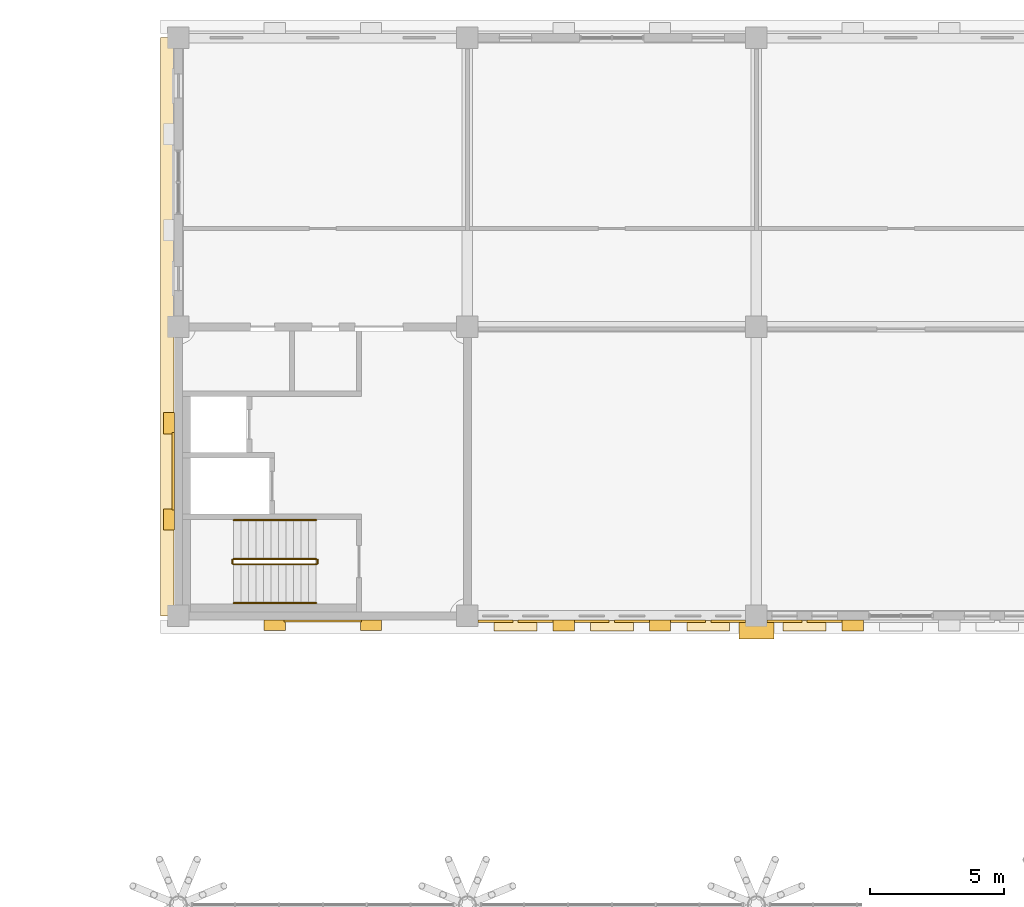
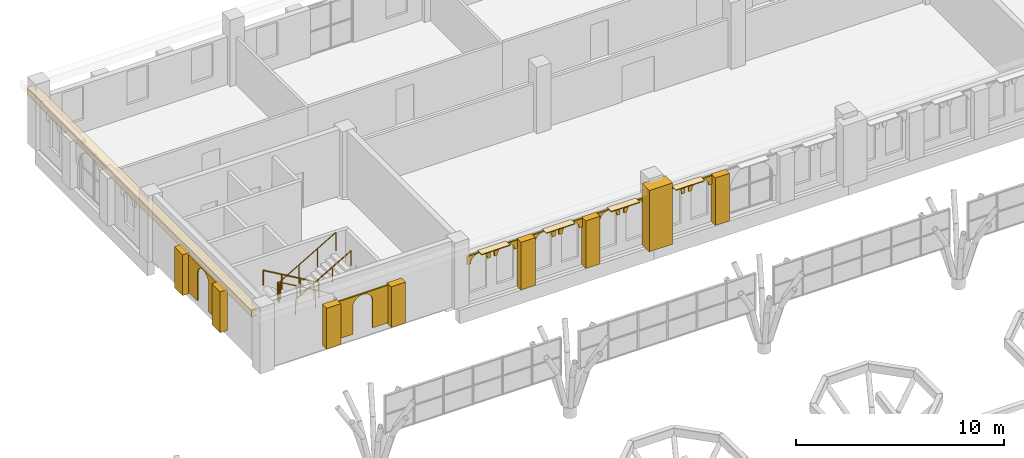
# One storey, part 39 of 42: 23 coverings, 6 railings.
"""IFC4 building model written with IfcOpenShell, lengths in metres."""

from ifc_helpers import new_model, si_unit, direction, frame, origin, origin_2d, place, context, subcontext, project, spatial, polyline, rectangle, circle, outline, extrude, material, layer, layer_set, type_object, element, save


model = new_model("IFC4")

# Units and contexts
model_context = context("Model", 3, precision=1e-05, world=origin(), true_north=direction((0.0, 1.0)))
body_context = subcontext(model_context, "Body", "Model", "MODEL_VIEW")
ifc_project = project(units=[si_unit("LENGTHUNIT", "METRE"), si_unit("AREAUNIT", "SQUARE_METRE"), si_unit("VOLUMEUNIT", "CUBIC_METRE"), si_unit("PLANEANGLEUNIT", "RADIAN"), si_unit("MASSUNIT", "GRAM", prefix="KILO")], contexts=[model_context])

# Site, building, storey
site_placement = place(None, origin())
site = spatial("IfcSite", under=ifc_project, at=site_placement, CompositionType="ELEMENT")
building_placement = place(site_placement, origin())
building = spatial("IfcBuilding", under=site, at=building_placement, Name="Magnolia Steps Interchange", CompositionType="ELEMENT")
storey_placement = place(building_placement, frame((0.0, 0.0, 12.60009765625)))
storey = spatial("IfcBuildingStorey", under=building, at=storey_placement, Name="L03", CompositionType="ELEMENT", Elevation=12.60009765625)

# Coverings
ifc_material_1 = material(Name="Lime render")
ifc_layer_1 = layer(ifc_material_1, 0.080078125)
ifc_layer_set_1 = layer_set([ifc_layer_1], Name="Lime render arch infill")
covering_type_1 = type_object("IfcCoveringType", Name="Lime render arch infill", PredefinedType="CLADDING", material=ifc_layer_set_1)
for number, where, z_axis, x_axis, name in (
    (1, (75.199951171875, 96.237548828125, 2.2548828125), (0.0, 1.0, 0.0), (0.0, 0.0, 1.0), "Arched head over opening W00105"),
    (2, (76.699951171875, 96.237548828125, 2.2548828125), (0.0, 1.0, 0.0), (0.0, 0.0, 1.0), "Arched head over opening W00255"),
):
    element("IfcCovering", number, at=place(storey_placement, frame(where, z_axis=z_axis, x_axis=x_axis)), inside=storey, type_object=covering_type_1, Name=name, PredefinedType="CLADDING", context=body_context, shape_type="SweptSolid", body=[
        extrude(outline(polyline([(0.0, 0.0), (0.495117188, 0.0), (0.495117188, 1.300048828), (0.0, 1.300048828), (0.0, 1.125), (0.105712891, 1.113037109), (0.206054688, 1.078125), (0.296142578, 1.021484375), (0.371337891, 0.946289062), (0.427978516, 0.856201172), (0.463134766, 0.755859375), (0.475097656, 0.650146484), (0.463134766, 0.544433594), (0.427978516, 0.443847656), (0.371337891, 0.353759766), (0.296142578, 0.278564453), (0.206054688, 0.222167969), (0.105712891, 0.187011719), (0.0, 0.175048828), (0.0, 0.0)])), origin(), (0.0, 0.0, -1.0), 0.080078125),
    ])
for number, where, z_axis, x_axis, name in (
    (3, (78.800048828125, 96.237548828125, 2.2548828125), (0.0, 1.0, 0.0), (0.0, 0.0, 1.0), "Arched head over opening W00465"),
    (4, (80.300048828125, 96.237548828125, 2.2548828125), (0.0, 1.0, 0.0), (0.0, 0.0, 1.0), "Arched head over opening W00615"),
):
    element("IfcCovering", number, at=place(storey_placement, frame(where, z_axis=z_axis, x_axis=x_axis)), inside=storey, type_object=covering_type_1, Name=name, PredefinedType="CLADDING", context=body_context, shape_type="SweptSolid", body=[
        extrude(outline(polyline([(0.0, 0.0), (0.495117188, 0.0), (0.495117188, 1.300048828), (0.0, 1.300048828), (0.0, 1.125), (0.105712891, 1.113037109), (0.206054688, 1.077880859), (0.296142578, 1.021240234), (0.371337891, 0.946044922), (0.427978516, 0.855957031), (0.463134766, 0.755615234), (0.475097656, 0.649902344), (0.463134766, 0.544189453), (0.427978516, 0.443847656), (0.371337891, 0.353759766), (0.296142578, 0.278564453), (0.206054688, 0.221923828), (0.105712891, 0.186767578), (0.0, 0.175048828), (0.0, 0.0)])), origin(), (0.0, 0.0, -1.0), 0.080078125),
    ])
for number, where, z_axis, x_axis, name in (
    (5, (82.39990234375, 96.237548828125, 2.2548828125), (0.0, 1.0, 0.0), (0.0, 0.0, 1.0), "Arched head over opening W00825"),
    (6, (83.89990234375, 96.237548828125, 2.2548828125), (0.0, 1.0, 0.0), (0.0, 0.0, 1.0), "Arched head over opening W00975"),
):
    element("IfcCovering", number, at=place(storey_placement, frame(where, z_axis=z_axis, x_axis=x_axis)), inside=storey, type_object=covering_type_1, Name=name, PredefinedType="CLADDING", context=body_context, shape_type="SweptSolid", body=[
        extrude(outline(polyline([(0.0, 0.0), (0.495117188, 0.0), (0.495117188, 1.300048828), (0.0, 1.300048828), (0.0, 1.125), (0.105712891, 1.11328125), (0.206054688, 1.078125), (0.296142578, 1.021484375), (0.371337891, 0.946289062), (0.427978516, 0.856201172), (0.463134766, 0.755859375), (0.475097656, 0.650146484), (0.463134766, 0.544433594), (0.427978516, 0.444091797), (0.371337891, 0.354003906), (0.296142578, 0.278808594), (0.206054688, 0.222167969), (0.105712891, 0.187011719), (0.0, 0.175048828), (0.0, 0.0)])), origin(), (0.0, 0.0, -1.0), 0.080078125),
    ])
for number, where, z_axis, x_axis, name in (
    (7, (86.0, 96.237548828125, 2.2548828125), (0.0, 1.0, 0.0), (0.0, 0.0, 1.0), "Arched head over opening W01185"),
    (8, (87.5, 96.237548828125, 2.2548828125), (0.0, 1.0, 0.0), (0.0, 0.0, 1.0), "Arched head over opening W01335"),
):
    element("IfcCovering", number, at=place(storey_placement, frame(where, z_axis=z_axis, x_axis=x_axis)), inside=storey, type_object=covering_type_1, Name=name, PredefinedType="CLADDING", context=body_context, shape_type="SweptSolid", body=[
        extrude(outline(polyline([(0.0, 0.0), (0.495117188, 0.0), (0.495117188, 1.300048828), (0.0, 1.300048828), (0.0, 1.125), (0.105712891, 1.113037109), (0.206054688, 1.077880859), (0.296142578, 1.021484375), (0.371337891, 0.946289062), (0.427978516, 0.856201172), (0.463134766, 0.755615234), (0.475097656, 0.649902344), (0.463134766, 0.544189453), (0.427978516, 0.443847656), (0.371337891, 0.353759766), (0.296142578, 0.278564453), (0.206054688, 0.221923828), (0.105712891, 0.187011719), (0.0, 0.175048828), (0.0, 0.0)])), origin(), (0.0, 0.0, -1.0), 0.080078125),
    ])
covering_1_placement = place(storey_placement, frame((67.949951171875, 96.25, 0.39990234375), z_axis=(0.0, 1.0, 0.0), x_axis=(0.0, 0.0, 1.0)))
element("IfcCovering", 9, at=covering_1_placement, inside=storey, type_object=covering_type_1, Name="Arched niche OC-W L03 S", PredefinedType="CLADDING", context=body_context, shape_type="SweptSolid", body=[
    extrude(outline(polyline([(0.0, 0.0), (2.199951172, 0.0), (2.199951172, 2.900146484), (0.0, 2.900146484), (0.0, 2.0), (1.600097656, 2.0), (1.742431641, 1.981445312), (1.875, 1.926269531), (1.989013672, 1.838867188), (2.076416016, 1.725097656), (2.131347656, 1.592529297), (2.149902344, 1.449951172), (2.131347656, 1.307617188), (2.076416016, 1.175048828), (1.989013672, 1.061035156), (1.875, 0.973632812), (1.742431641, 0.918701172), (1.600097656, 0.900146484), (0.0, 0.900146484), (0.0, 0.0)])), origin(), (0.0, 0.0, -1.0), 0.080078125),
])
covering_2_placement = place(storey_placement, frame((63.85009765625, 101.25, 0.39990234375), z_axis=(1.0, 0.0, 0.0), x_axis=(0.0, 0.0, 1.0)))
element("IfcCovering", 10, at=covering_2_placement, inside=storey, type_object=covering_type_1, Name="Arched niche OC-W L03 W", PredefinedType="CLADDING", context=body_context, shape_type="SweptSolid", body=[
    extrude(outline(polyline([(0.0, 0.0), (1.600097656, 0.0), (1.742431641, -0.018798828), (1.875, -0.073730469), (1.989013672, -0.161132812), (2.076416016, -0.274902344), (2.131347656, -0.407714844), (2.149902344, -0.550048828), (2.131347656, -0.692382812), (2.076416016, -0.824951172), (1.989013672, -0.938964844), (1.875, -1.026367188), (1.742431641, -1.081298828), (1.600097656, -1.100097656), (0.0, -1.100097656), (0.0, -2.0), (2.199951172, -2.0), (2.199951172, 0.899902344), (0.0, 0.899902344), (0.0, 0.0)])), origin(), (0.0, 0.0, -1.0), 0.080078125),
])
ifc_material_2 = material(Name="Lime render")
ifc_layer_2 = layer(ifc_material_2, 0.1201171875)
ifc_layer_set_2 = layer_set([ifc_layer_2], Name="Lime render band")
covering_type_2 = type_object("IfcCoveringType", Name="Lime render band", PredefinedType="CLADDING", material=ifc_layer_set_2)
covering_3_placement = place(storey_placement, frame((63.58740234375, 107.199951171875, 3.199951171875), z_axis=(0.0, 0.0, 1.0), x_axis=(1.0, 0.0, 0.0)))
element("IfcCovering", 11, at=covering_3_placement, inside=storey, type_object=covering_type_2, Name="String course L03 W", PredefinedType="CLADDING", context=body_context, shape_type="SweptSolid", body=[
    extrude(rectangle(XDim=0.5, YDim=21.60009765625, at=origin_2d()), origin(), (0.0, 0.0, 1.0), 0.39990234375),
])
ifc_material_3 = material(Name="Lime render")
ifc_layer_3 = layer(ifc_material_3, 0.39990234375)
ifc_layer_set_3 = layer_set([ifc_layer_3], Name="Lime render pilaster")
covering_type_3 = type_object("IfcCoveringType", Name="Lime render pilaster", PredefinedType="CLADDING", material=ifc_layer_set_3)
for number, where, z_axis, x_axis, name in (
    (12, (78.39990234375, 96.03759765625, 0.0), (0.0, 0.0, 1.0), (1.0, 0.0, 0.0), "Pilaster L03 S 1"),
    (13, (82.0, 96.03759765625, 0.0), (0.0, 0.0, 1.0), (1.0, 0.0, 0.0), "Pilaster L03 S 2"),
    (14, (89.199951171875, 96.03759765625, 0.0), (0.0, 0.0, 1.0), (1.0, 0.0, 0.0), "Pilaster L03 S 3"),
):
    element("IfcCovering", number, at=place(storey_placement, frame(where, z_axis=z_axis, x_axis=x_axis)), inside=storey, type_object=covering_type_3, Name=name, PredefinedType="CLADDING", context=body_context, shape_type="SweptSolid", body=[
        extrude(rectangle(XDim=0.800048828125, YDim=0.39990234375, at=origin_2d()), origin(), (0.0, 0.0, 1.0), 2.800048828125),
    ])
for number, where, z_axis, x_axis, name in (
    (15, (67.60009765625, 96.050048828125, 0.300048828125), (0.0, 0.0, 1.0), (1.0, 0.0, 0.0), "Core pilaster OC-W L03 S 1"),
    (16, (71.199951171875, 96.050048828125, 0.300048828125), (0.0, 0.0, 1.0), (1.0, 0.0, 0.0), "Core pilaster OC-W L03 S 2"),
):
    element("IfcCovering", number, at=place(storey_placement, frame(where, z_axis=z_axis, x_axis=x_axis)), inside=storey, type_object=covering_type_3, Name=name, PredefinedType="CLADDING", context=body_context, shape_type="SweptSolid", body=[
        extrude(rectangle(XDim=0.800048828125, YDim=0.39990234375, at=origin_2d()), origin(), (0.0, 0.0, 1.0), 2.39990234375),
    ])
for number, where, z_axis, x_axis, name in (
    (17, (63.64990234375, 100.0, 0.300048828125), (0.0, 0.0, 1.0), (1.0, 0.0, 0.0), "Core pilaster OC-W L03 W 1"),
    (18, (63.64990234375, 103.60009765625, 0.300048828125), (0.0, 0.0, 1.0), (1.0, 0.0, 0.0), "Core pilaster OC-W L03 W 2"),
):
    element("IfcCovering", number, at=place(storey_placement, frame(where, z_axis=z_axis, x_axis=x_axis)), inside=storey, type_object=covering_type_3, Name=name, PredefinedType="CLADDING", context=body_context, shape_type="SweptSolid", body=[
        extrude(rectangle(XDim=0.39990234375, YDim=0.800048828125, at=origin_2d()), origin(), (0.0, 0.0, 1.0), 2.39990234375),
    ])
covering_4_placement = place(storey_placement, frame((85.60009765625, 95.875, -0.000244140625), z_axis=(0.0, 0.0, 1.0), x_axis=(1.0, 0.0, 0.0)))
element("IfcCovering", 19, at=covering_4_placement, inside=storey, type_object=covering_type_3, Name="Giant pilaster L03 1", PredefinedType="CLADDING", context=body_context, shape_type="SweptSolid", body=[
    extrude(rectangle(XDim=1.300048828125, YDim=0.699951171875, at=origin_2d()), origin(), (0.0, 0.0, 1.0), 3.60009765625),
])

# Railings
ifc_material_4 = material(Name="Stainless steel grade 304", Category="steel")
railing_type_1 = type_object("IfcRailingType", Name="Stair guard 1100", PredefinedType="GUARDRAIL", material=ifc_material_4)
railing_1_placement = place(storey_placement, frame((69.14990234375, 98.52392578125, 0.162353515625)))
element("IfcRailing", 20, at=railing_1_placement, inside=storey, type_object=railing_type_1, Name="L03 ST28 stair guard 1", PredefinedType="GUARDRAIL", context=body_context, shape_type="SweptSolid", body=[
    extrude(circle(Radius=0.02392578125, at=origin_2d()), frame((0.0, 0.0, 1.076171875), z_axis=(-0.864873446163, 0.0, 0.501989962173), x_axis=(0.0, -1.0, 0.0)), (0.0, 0.0, 1.0), 3.56103515625),
    extrude(circle(Radius=0.02099609375, at=origin_2d()), origin(), (0.0, 0.0, 1.0), 1.052001953125),
    extrude(circle(Radius=0.02099609375, at=origin_2d()), frame((-1.026611328125, 0.0, 0.595947265625)), (0.0, 0.0, 1.0), 1.052001953125),
    extrude(circle(Radius=0.02099609375, at=origin_2d()), frame((-2.05322265625, 0.0, 1.191650390625)), (0.0, 0.0, 1.0), 1.052001953125),
    extrude(circle(Radius=0.02099609375, at=origin_2d()), frame((-3.079833984375, 0.0, 1.78759765625)), (0.0, 0.0, 1.0), 1.052001953125),
])
railing_2_placement = place(storey_placement, frame((66.02001953125, 98.5, 1.949951171875)))
element("IfcRailing", 21, at=railing_2_placement, inside=storey, type_object=railing_type_1, Name="L03 ST28 stair guard 2", PredefinedType="GUARDRAIL", context=body_context, shape_type="SweptSolid", body=[
    extrude(circle(Radius=0.02392578125, at=origin_2d()), frame((0.0, 0.0, 1.076171875), z_axis=(0.0, -1.0, 0.0), x_axis=(1.0, 0.0, 0.0)), (0.0, 0.0, 1.0), 0.14990234375),
    extrude(circle(Radius=0.02099609375, at=origin_2d()), origin(), (0.0, 0.0, 1.0), 1.052001953125),
    extrude(circle(Radius=0.02099609375, at=origin_2d()), frame((0.0, -0.14990234375, 0.0)), (0.0, 0.0, 1.0), 1.052001953125),
])
railing_3_placement = place(storey_placement, frame((66.070068359375, 98.325927734375, 2.1123046875)))
element("IfcRailing", 22, at=railing_3_placement, inside=storey, type_object=railing_type_1, Name="L03 ST28 stair guard 3", PredefinedType="GUARDRAIL", context=body_context, shape_type="SweptSolid", body=[
    extrude(circle(Radius=0.02392578125, at=origin_2d()), frame((0.0, 0.0, 1.076171875), z_axis=(0.864873446163, 0.0, 0.501989962173), x_axis=(0.0, 1.0, 0.0)), (0.0, 0.0, 1.0), 3.56103515625),
    extrude(circle(Radius=0.02099609375, at=origin_2d()), origin(), (0.0, 0.0, 1.0), 1.052001953125),
    extrude(circle(Radius=0.02099609375, at=origin_2d()), frame((1.026611328125, 0.0, 0.595947265625)), (0.0, 0.0, 1.0), 1.052001953125),
    extrude(circle(Radius=0.02099609375, at=origin_2d()), frame((2.05322265625, 0.0, 1.191650390625)), (0.0, 0.0, 1.0), 1.052001953125),
    extrude(circle(Radius=0.02099609375, at=origin_2d()), frame((3.079833984375, 0.0, 1.78759765625)), (0.0, 0.0, 1.0), 1.052001953125),
])
railing_4_placement = place(storey_placement, frame((69.199951171875, 98.5, 0.0)))
element("IfcRailing", 23, at=railing_4_placement, inside=storey, type_object=railing_type_1, Name="L03 ST28 stair guard 4", PredefinedType="GUARDRAIL", context=body_context, shape_type="SweptSolid", body=[
    extrude(circle(Radius=0.02392578125, at=origin_2d()), frame((0.0, 0.0, 1.076171875), z_axis=(0.0, -1.0, 0.0), x_axis=(1.0, 0.0, 0.0)), (0.0, 0.0, 1.0), 0.14990234375),
    extrude(circle(Radius=0.02099609375, at=origin_2d()), origin(), (0.0, 0.0, 1.0), 1.052001953125),
    extrude(circle(Radius=0.02099609375, at=origin_2d()), frame((0.0, -0.14990234375, 0.0)), (0.0, 0.0, 1.0), 1.052001953125),
])
ifc_material_5 = material(Name="Stainless steel grade 304", Category="steel")
railing_type_2 = type_object("IfcRailingType", Name="Stair handrail 900", PredefinedType="HANDRAIL", material=ifc_material_5)
railing_5_placement = place(storey_placement, frame((69.14990234375, 99.97607421875, 0.162353515625)))
element("IfcRailing", 24, at=railing_5_placement, inside=storey, type_object=railing_type_2, Name="L03 ST28 stair handrail 1", PredefinedType="HANDRAIL", context=body_context, shape_type="SweptSolid", body=[
    extrude(circle(Radius=0.02392578125, at=origin_2d()), frame((0.0, 0.0, 0.8759765625), z_axis=(-0.864873446163, 0.0, 0.501989962173), x_axis=(0.0, -1.0, 0.0)), (0.0, 0.0, 1.0), 3.56103515625),
    extrude(circle(Radius=0.02099609375, at=origin_2d()), origin(), (0.0, 0.0, 1.0), 0.851806640625),
    extrude(circle(Radius=0.02099609375, at=origin_2d()), frame((-1.026611328125, 0.0, 0.595947265625)), (0.0, 0.0, 1.0), 0.851806640625),
    extrude(circle(Radius=0.02099609375, at=origin_2d()), frame((-2.05322265625, 0.0, 1.191650390625)), (0.0, 0.0, 1.0), 0.851806640625),
    extrude(circle(Radius=0.02099609375, at=origin_2d()), frame((-3.079833984375, 0.0, 1.78759765625)), (0.0, 0.0, 1.0), 0.851806640625),
])
railing_6_placement = place(storey_placement, frame((66.070068359375, 96.8740234375, 2.1123046875)))
element("IfcRailing", 25, at=railing_6_placement, inside=storey, type_object=railing_type_2, Name="L03 ST28 stair handrail 2", PredefinedType="HANDRAIL", context=body_context, shape_type="SweptSolid", body=[
    extrude(circle(Radius=0.02392578125, at=origin_2d()), frame((0.0, 0.0, 0.8759765625), z_axis=(0.864873446163, 0.0, 0.501989962173), x_axis=(0.0, 1.0, 0.0)), (0.0, 0.0, 1.0), 3.56103515625),
    extrude(circle(Radius=0.02099609375, at=origin_2d()), origin(), (0.0, 0.0, 1.0), 0.851806640625),
    extrude(circle(Radius=0.02099609375, at=origin_2d()), frame((1.026611328125, 0.0, 0.595947265625)), (0.0, 0.0, 1.0), 0.851806640625),
    extrude(circle(Radius=0.02099609375, at=origin_2d()), frame((2.05322265625, 0.0, 1.191650390625)), (0.0, 0.0, 1.0), 0.851806640625),
    extrude(circle(Radius=0.02099609375, at=origin_2d()), frame((3.079833984375, 0.0, 1.78759765625)), (0.0, 0.0, 1.0), 0.851806640625),
])

# Coverings
ifc_material_6 = material(Name="Timber", Category="wood")
ifc_layer_4 = layer(ifc_material_6, 0.050048828125)
ifc_layer_set_4 = layer_set([ifc_layer_4], Name="Timber sunshade louvre")
covering_type_4 = type_object("IfcCoveringType", Name="Timber sunshade louvre", PredefinedType="CLADDING", material=ifc_layer_set_4)
for number, where, z_axis, x_axis, name in (
    (26, (76.60009765625, 96.02490234375, 2.82470703125), (0.0, 0.0, 1.0), (1.0, 0.0, 0.0), "Sunshade louvre L03 1"),
    (27, (80.199951171875, 96.02490234375, 2.82470703125), (0.0, 0.0, 1.0), (1.0, 0.0, 0.0), "Sunshade louvre L03 2"),
    (28, (83.800048828125, 96.02490234375, 2.82470703125), (0.0, 0.0, 1.0), (1.0, 0.0, 0.0), "Sunshade louvre L03 3"),
    (29, (87.39990234375, 96.02490234375, 2.82470703125), (0.0, 0.0, 1.0), (1.0, 0.0, 0.0), "Sunshade louvre L03 4"),
):
    element("IfcCovering", number, at=place(storey_placement, frame(where, z_axis=z_axis, x_axis=x_axis)), inside=storey, type_object=covering_type_4, Name=name, PredefinedType="CLADDING", context=body_context, shape_type="SweptSolid", body=[
        extrude(rectangle(XDim=1.60009765625, YDim=0.39990234375, at=origin_2d()), origin(), (0.0, 0.0, 1.0), 0.050048828125),
    ])

save(model, "model.ifc")
